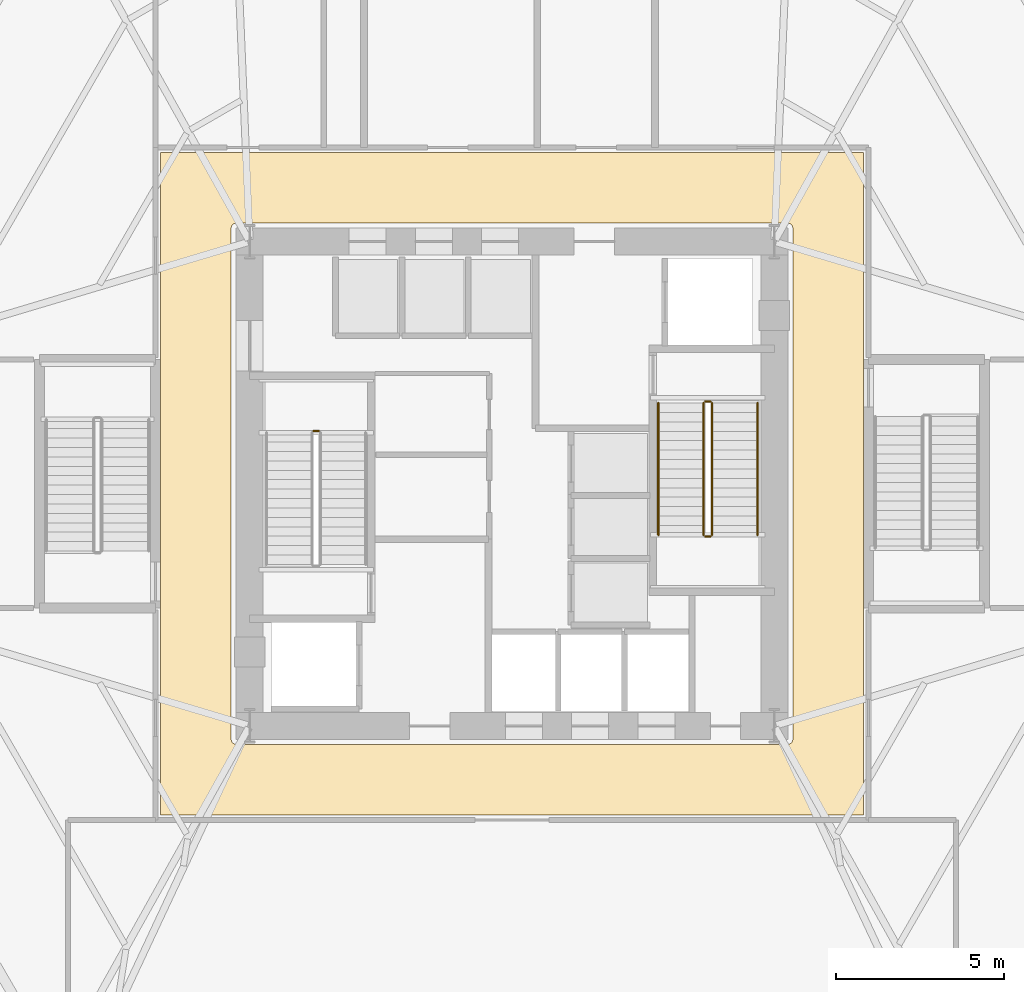
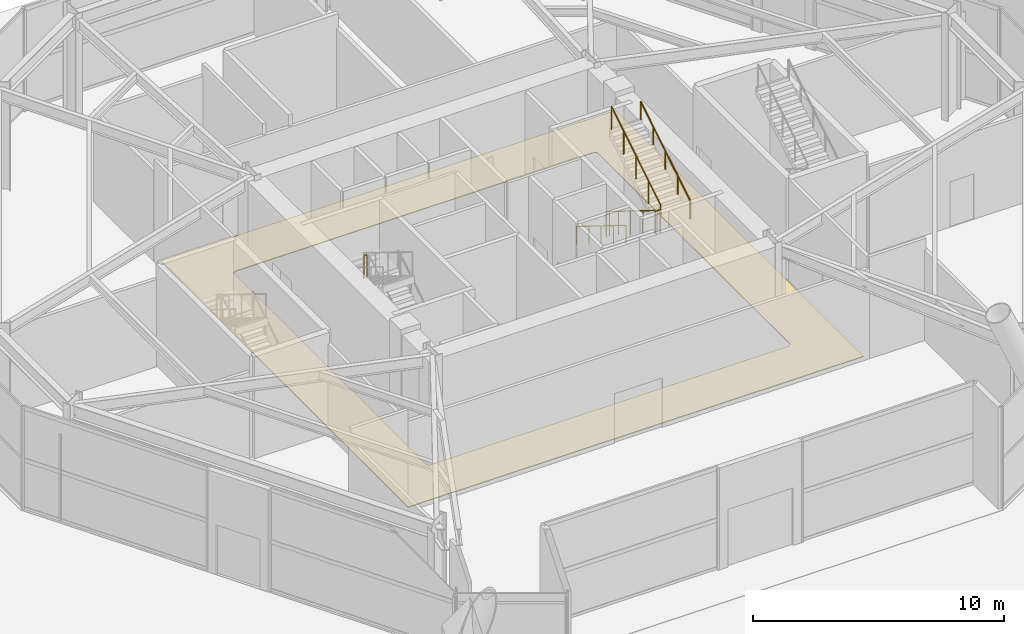
# One storey, part 23 of 26: 7 railings, 1 covering.
"""IFC4 building model written with IfcOpenShell, lengths in metres."""

from ifc_helpers import new_model, si_unit, direction, frame, origin, origin_2d, place, context, subcontext, project, spatial, polyline, circle, outline, extrude, material, layer, layer_set, type_object, element, save


model = new_model("IFC4")

# Units and contexts
model_context = context("Model", 3, precision=1e-05, world=origin(), true_north=direction((0.0, 1.0)))
body_context = subcontext(model_context, "Body", "Model", "MODEL_VIEW")
ifc_project = project(units=[si_unit("LENGTHUNIT", "METRE"), si_unit("AREAUNIT", "SQUARE_METRE"), si_unit("VOLUMEUNIT", "CUBIC_METRE"), si_unit("PLANEANGLEUNIT", "RADIAN"), si_unit("MASSUNIT", "GRAM", prefix="KILO")], contexts=[model_context])

# Site, building, storey
site_placement = place(None, origin())
site = spatial("IfcSite", under=ifc_project, at=site_placement, CompositionType="ELEMENT")
building_placement = place(site_placement, origin())
building = spatial("IfcBuilding", under=site, at=building_placement, Name="Kranzbogen Civic Tower", CompositionType="ELEMENT")
storey_placement = place(building_placement, origin())
storey = spatial("IfcBuildingStorey", under=building, at=storey_placement, Name="L00", CompositionType="ELEMENT", Elevation=0.0)

# Covering
ifc_material_1 = material(Name="Honed Natural Stone Flooring", Category="masonry")
ifc_layer = layer(ifc_material_1, 0.0400390625, Name="Honed Natural Stone Flooring")
ifc_layer_set = layer_set([ifc_layer], Name="Honed Natural Stone Flooring")
covering_type = type_object("IfcCoveringType", Name="Honed Limestone Lobby Flooring 40 mm", PredefinedType="FLOORING", material=ifc_layer_set)
covering_placement = place(storey_placement, origin())
element("IfcCovering", 1, at=covering_placement, inside=storey, type_object=covering_type, Name="L00 honed limestone concourse flooring 1", PredefinedType="FLOORING", context=body_context, shape_type="SweptSolid", body=[
    extrude(outline(polyline([(14.550048828125, 15.14990234375), (14.550048828125, 34.85009765625), (35.449951171875, 34.85009765625), (35.449951171875, 15.14990234375), (14.550048828125, 15.14990234375)]), holes=[polyline([(33.35009765625, 17.39990234375), (33.34912109375, 17.385009765625), (33.346923828125, 17.37109375), (33.343994140625, 17.35595703125), (33.339111328125, 17.343017578125), (33.33203125, 17.3291015625), (33.324951171875, 17.31689453125), (33.31591796875, 17.304931640625), (33.305908203125, 17.2939453125), (33.294921875, 17.283935546875), (33.282958984375, 17.27490234375), (33.27099609375, 17.26806640625), (33.257080078125, 17.260986328125), (33.243896484375, 17.256103515625), (33.22900390625, 17.2529296875), (33.215087890625, 17.2509765625), (33.199951171875, 17.25), (16.800048828125, 17.25), (16.784912109375, 17.2509765625), (16.77099609375, 17.2529296875), (16.756103515625, 17.256103515625), (16.742919921875, 17.260986328125), (16.72900390625, 17.26806640625), (16.717041015625, 17.27490234375), (16.705078125, 17.283935546875), (16.694091796875, 17.2939453125), (16.68408203125, 17.304931640625), (16.675048828125, 17.31689453125), (16.66796875, 17.3291015625), (16.660888671875, 17.343017578125), (16.656005859375, 17.35595703125), (16.653076171875, 17.37109375), (16.65087890625, 17.385009765625), (16.64990234375, 17.39990234375), (16.64990234375, 32.60009765625), (16.65087890625, 32.614990234375), (16.653076171875, 32.62890625), (16.656005859375, 32.64404296875), (16.660888671875, 32.656982421875), (16.66796875, 32.6708984375), (16.675048828125, 32.68310546875), (16.68408203125, 32.695068359375), (16.694091796875, 32.7060546875), (16.705078125, 32.716064453125), (16.717041015625, 32.72509765625), (16.72900390625, 32.73193359375), (16.742919921875, 32.739013671875), (16.756103515625, 32.743896484375), (16.77099609375, 32.7470703125), (16.784912109375, 32.7490234375), (16.800048828125, 32.75), (33.199951171875, 32.75), (33.215087890625, 32.7490234375), (33.22900390625, 32.7470703125), (33.243896484375, 32.743896484375), (33.257080078125, 32.739013671875), (33.27099609375, 32.73193359375), (33.282958984375, 32.72509765625), (33.294921875, 32.716064453125), (33.305908203125, 32.7060546875), (33.31591796875, 32.695068359375), (33.324951171875, 32.68310546875), (33.33203125, 32.6708984375), (33.339111328125, 32.656982421875), (33.343994140625, 32.64404296875), (33.346923828125, 32.62890625), (33.34912109375, 32.614990234375), (33.35009765625, 32.60009765625), (33.35009765625, 17.39990234375)])]), origin(), (0.0, 0.0, 1.0), 0.0400390625),
])

# Railings
ifc_material_2 = material(Name="Steel S355", Category="steel")
railing_type_1 = type_object("IfcRailingType", Name="Internal Stair and Void Steel Guardrail 1150", PredefinedType="GUARDRAIL", material=ifc_material_2)
railing_1_placement = place(storey_placement, frame((19.25, 26.570068359375, 2.60009765625)))
element("IfcRailing", 2, at=railing_1_placement, inside=storey, type_object=railing_type_1, Name="L00 ST-T1 stair guard 2", PredefinedType="GUARDRAIL", context=body_context, shape_type="SweptSolid", body=[
    extrude(circle(Radius=0.02392578125, at=origin_2d()), frame((0.0, 0.0, 1.1259765625), z_axis=(-1.0, 0.0, 0.0), x_axis=(0.0, -1.0, 0.0)), (0.0, 0.0, 1.0), 0.14990234375),
    extrude(circle(Radius=0.02099609375, at=origin_2d()), origin(), (0.0, 0.0, 1.0), 1.101806640625),
    extrude(circle(Radius=0.02099609375, at=origin_2d()), frame((-0.14990234375, 0.0, 0.0)), (0.0, 0.0, 1.0), 1.101806640625),
])
railing_2_placement = place(storey_placement, frame((30.699951171875, 27.39990234375, 0.17333984375)))
element("IfcRailing", 3, at=railing_2_placement, inside=storey, type_object=railing_type_1, Name="L00 ST-T2 stair guard 1", PredefinedType="GUARDRAIL", context=body_context, shape_type="SweptSolid", body=[
    extrude(circle(Radius=0.02392578125, at=origin_2d()), frame((0.0, 0.0, 1.1259765625), z_axis=(0.0, -0.850251603719, 0.526376491091), x_axis=(1.0, 0.0, 0.0)), (0.0, 0.0, 1.0), 4.6103515625),
    extrude(circle(Radius=0.02099609375, at=origin_2d()), origin(), (0.0, 0.0, 1.0), 1.101806640625),
    extrude(circle(Radius=0.02099609375, at=origin_2d()), frame((0.0, -0.97998046875, 0.606689453125)), (0.0, 0.0, 1.0), 1.101806640625),
    extrude(circle(Radius=0.02099609375, at=origin_2d()), frame((0.0, -1.9599609375, 1.21337890625)), (0.0, 0.0, 1.0), 1.101806640625),
    extrude(circle(Radius=0.02099609375, at=origin_2d()), frame((0.0, -2.93994140625, 1.820068359375)), (0.0, 0.0, 1.0), 1.101806640625),
    extrude(circle(Radius=0.02099609375, at=origin_2d()), frame((0.0, -3.919921875, 2.4267578125)), (0.0, 0.0, 1.0), 1.101806640625),
])
railing_3_placement = place(storey_placement, frame((30.75, 23.429931640625, 2.60009765625)))
element("IfcRailing", 4, at=railing_3_placement, inside=storey, type_object=railing_type_1, Name="L00 ST-T2 stair guard 2", PredefinedType="GUARDRAIL", context=body_context, shape_type="SweptSolid", body=[
    extrude(circle(Radius=0.02392578125, at=origin_2d()), frame((0.0, 0.0, 1.1259765625), z_axis=(1.0, 0.0, 0.0), x_axis=(0.0, 1.0, 0.0)), (0.0, 0.0, 1.0), 0.14990234375),
    extrude(circle(Radius=0.02099609375, at=origin_2d()), origin(), (0.0, 0.0, 1.0), 1.101806640625),
    extrude(circle(Radius=0.02099609375, at=origin_2d()), frame((0.14990234375, 0.0, 0.0)), (0.0, 0.0, 1.0), 1.101806640625),
])
railing_4_placement = place(storey_placement, frame((30.949951171875, 23.47998046875, 2.7734375)))
element("IfcRailing", 5, at=railing_4_placement, inside=storey, type_object=railing_type_1, Name="L00 ST-T2 stair guard 3", PredefinedType="GUARDRAIL", context=body_context, shape_type="SweptSolid", body=[
    extrude(circle(Radius=0.02392578125, at=origin_2d()), frame((0.0, 0.0, 1.1259765625), z_axis=(0.0, 0.850275303828, 0.526338206574), x_axis=(-1.0, 0.0, 0.0)), (0.0, 0.0, 1.0), 4.610107421875),
    extrude(circle(Radius=0.02099609375, at=origin_2d()), origin(), (0.0, 0.0, 1.0), 1.101806640625),
    extrude(circle(Radius=0.02099609375, at=origin_2d()), frame((0.0, 0.97998046875, 0.606689453125)), (0.0, 0.0, 1.0), 1.101806640625),
    extrude(circle(Radius=0.02099609375, at=origin_2d()), frame((0.0, 1.9599609375, 1.21337890625)), (0.0, 0.0, 1.0), 1.101806640625),
    extrude(circle(Radius=0.02099609375, at=origin_2d()), frame((0.0, 2.93994140625, 1.81982421875)), (0.0, 0.0, 1.0), 1.101806640625),
    extrude(circle(Radius=0.02099609375, at=origin_2d()), frame((0.0, 3.919921875, 2.426513671875)), (0.0, 0.0, 1.0), 1.101806640625),
])
railing_5_placement = place(storey_placement, frame((30.75, 27.449951171875, 0.0)))
element("IfcRailing", 6, at=railing_5_placement, inside=storey, type_object=railing_type_1, Name="L00 ST-T2 stair guard 4", PredefinedType="GUARDRAIL", context=body_context, shape_type="SweptSolid", body=[
    extrude(circle(Radius=0.02392578125, at=origin_2d()), frame((0.0, 0.0, 1.1259765625), z_axis=(1.0, 0.0, 0.0), x_axis=(0.0, 1.0, 0.0)), (0.0, 0.0, 1.0), 0.14990234375),
    extrude(circle(Radius=0.02099609375, at=origin_2d()), origin(), (0.0, 0.0, 1.0), 1.101806640625),
    extrude(circle(Radius=0.02099609375, at=origin_2d()), frame((0.14990234375, 0.0, 0.0)), (0.0, 0.0, 1.0), 1.101806640625),
])
ifc_material_3 = material(Name="Pale Anodised Aluminium", Category="aluminium")
railing_type_2 = type_object("IfcRailingType", Name="Tubular Stainless Stair Wall Handrail 900", PredefinedType="HANDRAIL", material=ifc_material_3)
railing_6_placement = place(storey_placement, frame((29.35009765625, 27.39990234375, 0.17333984375)))
element("IfcRailing", 7, at=railing_6_placement, inside=storey, type_object=railing_type_2, Name="L00 ST-T2 stair handrail 1", PredefinedType="HANDRAIL", context=body_context, shape_type="SweptSolid", body=[
    extrude(circle(Radius=0.02392578125, at=origin_2d()), frame((0.0, 0.0, 0.8759765625), z_axis=(0.0, -0.850251603719, 0.526376491091), x_axis=(1.0, 0.0, 0.0)), (0.0, 0.0, 1.0), 4.6103515625),
    extrude(circle(Radius=0.02099609375, at=origin_2d()), origin(), (0.0, 0.0, 1.0), 0.851806640625),
    extrude(circle(Radius=0.02099609375, at=origin_2d()), frame((0.0, -0.97998046875, 0.606689453125)), (0.0, 0.0, 1.0), 0.851806640625),
    extrude(circle(Radius=0.02099609375, at=origin_2d()), frame((0.0, -1.9599609375, 1.21337890625)), (0.0, 0.0, 1.0), 0.851806640625),
    extrude(circle(Radius=0.02099609375, at=origin_2d()), frame((0.0, -2.93994140625, 1.820068359375)), (0.0, 0.0, 1.0), 0.851806640625),
    extrude(circle(Radius=0.02099609375, at=origin_2d()), frame((0.0, -3.919921875, 2.4267578125)), (0.0, 0.0, 1.0), 0.851806640625),
])
railing_7_placement = place(storey_placement, frame((32.300048828125, 23.47998046875, 2.7734375)))
element("IfcRailing", 8, at=railing_7_placement, inside=storey, type_object=railing_type_2, Name="L00 ST-T2 stair handrail 2", PredefinedType="HANDRAIL", context=body_context, shape_type="SweptSolid", body=[
    extrude(circle(Radius=0.02392578125, at=origin_2d()), frame((0.0, 0.0, 0.8759765625), z_axis=(0.0, 0.850275303828, 0.526338206574), x_axis=(-1.0, 0.0, 0.0)), (0.0, 0.0, 1.0), 4.610107421875),
    extrude(circle(Radius=0.02099609375, at=origin_2d()), origin(), (0.0, 0.0, 1.0), 0.851806640625),
    extrude(circle(Radius=0.02099609375, at=origin_2d()), frame((0.0, 0.97998046875, 0.606689453125)), (0.0, 0.0, 1.0), 0.851806640625),
    extrude(circle(Radius=0.02099609375, at=origin_2d()), frame((0.0, 1.9599609375, 1.21337890625)), (0.0, 0.0, 1.0), 0.851806640625),
    extrude(circle(Radius=0.02099609375, at=origin_2d()), frame((0.0, 2.93994140625, 1.81982421875)), (0.0, 0.0, 1.0), 0.851806640625),
    extrude(circle(Radius=0.02099609375, at=origin_2d()), frame((0.0, 3.919921875, 2.426513671875)), (0.0, 0.0, 1.0), 0.851806640625),
])

save(model, "model.ifc")
